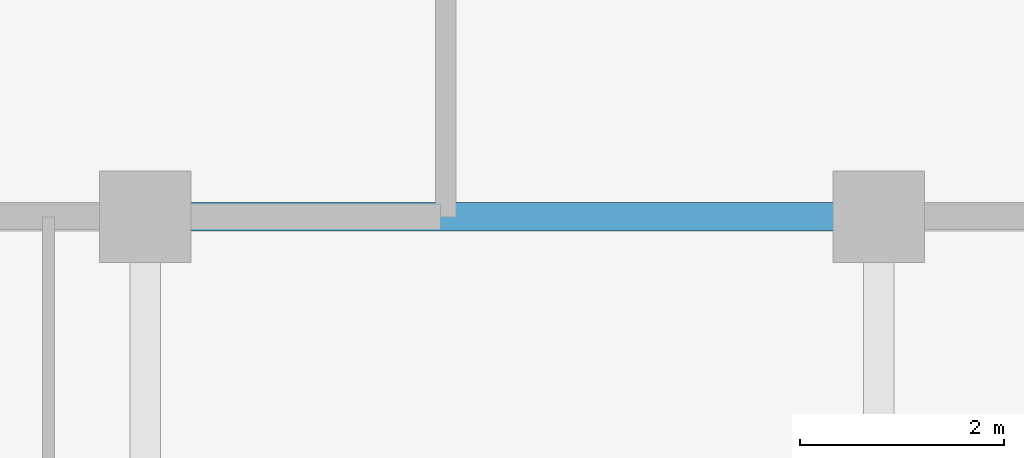
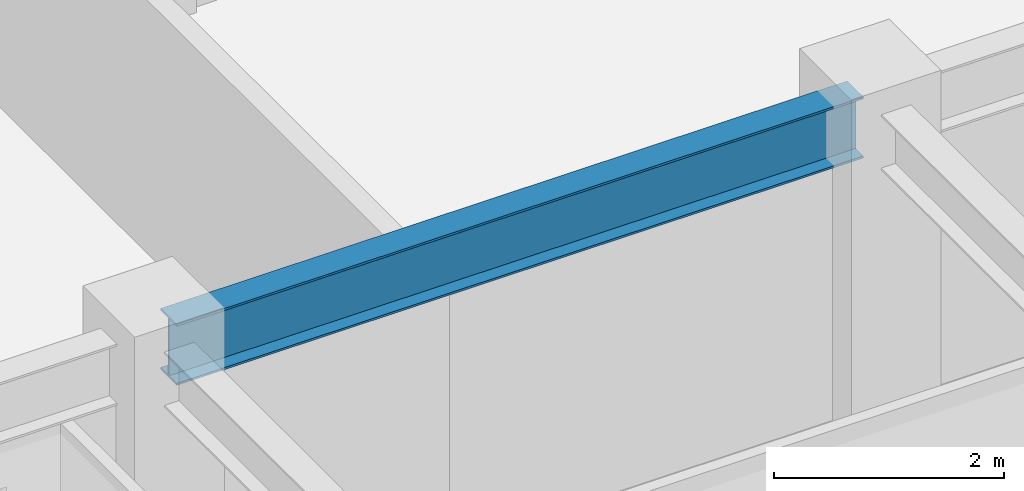
# One storey, part 6 of 22: 1 beam.
"""IFC4 building model written with IfcOpenShell, lengths in metres."""

import ifcopenshell
import ifcopenshell.guid

model = None  # the IFC model being written
_history = None  # IfcOwnerHistory: only IFC2X3 demands one
_inside = {}  # id of a spatial element -> (the spatial element, [elements in it])
_under = {}  # id of a project, library or spatial element -> (it, [spatial elements below it])
_declared = {}  # id of a project -> (the project, [libraries it declares])
_typed = {}  # id of a type object -> (the type object, [elements of that type])
_made_of = {}  # id of a material, layer set ... -> (it, [elements and type objects made of it])


def new_model(schema):
    """Start an empty IFC model of exactly this schema.

    Asked for "IFC4X3", IfcOpenShell would pick the latest addendum, in which some entities
    have other attributes; the version numbers below select the first issue.
    IFC2X3 requires an IfcOwnerHistory on every rooted entity: one is made here for all.
    """
    global model, _history
    if schema == "IFC4X3":
        model = ifcopenshell.file(schema_version=(4, 3, 0, 0))
    else:
        model = ifcopenshell.file(schema=schema)
    _inside.clear()
    _under.clear()
    _declared.clear()
    _typed.clear()
    _made_of.clear()
    _history = None
    if model.schema == "IFC2X3":
        org = make("IfcOrganization", Name="unknown")
        user = make(
            "IfcPersonAndOrganization",
            ThePerson=make("IfcPerson", FamilyName="unknown"),
            TheOrganization=org,
        )
        app = make(
            "IfcApplication",
            ApplicationDeveloper=org,
            Version="unknown",
            ApplicationFullName="unknown",
            ApplicationIdentifier="unknown",
        )
        _history = make(
            "IfcOwnerHistory",
            OwningUser=user,
            OwningApplication=app,
            ChangeAction="ADDED",
            CreationDate=0,
        )
    return model


def make(cls, **values):
    """One entity of the class cls with the attributes given. An attribute that is None is left unset."""
    return model.create_entity(
        cls, **{name: value for name, value in values.items() if value is not None}
    )


def rooted(cls, **values):
    """An entity with a GlobalId (a new one), such as an element, a storey or a relation."""
    return make(cls, GlobalId=ifcopenshell.guid.new(), OwnerHistory=_history, **values)


def si_unit(unit_type, name, prefix=None):
    """IfcSIUnit, for example si_unit("LENGTHUNIT", "METRE", prefix="MILLI")."""
    return make("IfcSIUnit", UnitType=unit_type, Prefix=prefix, Name=name)


def assignment(units):
    """IfcUnitAssignment: the units of a project."""
    return None if units is None else make("IfcUnitAssignment", Units=units)


def point(xyz):
    """IfcCartesianPoint."""
    return None if xyz is None else make("IfcCartesianPoint", Coordinates=xyz)


def direction(xyz):
    """IfcDirection."""
    return None if xyz is None else make("IfcDirection", DirectionRatios=xyz)


def frame(location, z_axis=None, x_axis=None):
    """IfcAxis2Placement3D, a coordinate frame: its origin and axes. An axis left out is left unset."""
    return make(
        "IfcAxis2Placement3D",
        Location=point(location),
        Axis=direction(z_axis),
        RefDirection=direction(x_axis),
    )


def frame_2d(location, x_axis=None):
    """IfcAxis2Placement2D, a coordinate frame in the plane: its origin and x axis."""
    return make(
        "IfcAxis2Placement2D", Location=point(location), RefDirection=direction(x_axis)
    )


def origin():
    """The frame at (0, 0, 0) with its axes left unset."""
    return frame((0.0, 0.0, 0.0))


def origin_2d():
    """The frame at (0, 0) in the plane with its x axis left unset."""
    return frame_2d((0.0, 0.0))


def place(relative_to, where):
    """IfcLocalPlacement: puts the frame where relative to a parent placement (None: the world)."""
    return make(
        "IfcLocalPlacement", PlacementRelTo=relative_to, RelativePlacement=where
    )


def context(
    kind, dimensions, precision=None, world=None, true_north=None, identifier=None
):
    """IfcGeometricRepresentationContext, for example the 3D "Model" context."""
    return make(
        "IfcGeometricRepresentationContext",
        ContextIdentifier=identifier,
        ContextType=kind,
        CoordinateSpaceDimension=dimensions,
        Precision=precision,
        WorldCoordinateSystem=world,
        TrueNorth=true_north,
    )


def subcontext(parent, identifier, kind, view, scale=None):
    """IfcGeometricRepresentationSubContext, for example "Body" below "Model"."""
    return make(
        "IfcGeometricRepresentationSubContext",
        ContextIdentifier=identifier,
        ContextType=kind,
        ParentContext=parent,
        TargetScale=scale,
        TargetView=view,
    )


def project(units=None, contexts=None):
    """IfcProject with its units and contexts."""
    return rooted(
        "IfcProject",
        Name="project",
        RepresentationContexts=contexts,
        UnitsInContext=assignment(units),
    )


def spatial(cls, under=None, at=None, **own):
    """A site, building, storey or space (cls), placed at a placement, below another one or the project."""
    s = rooted(cls, ObjectPlacement=at, **own)
    if under is not None:
        _under.setdefault(under.id(), (under, []))[1].append(s)
    return s


def profile(cls, at=None, kind="AREA", **sizes):
    """A parametric profile (cls). Its sizes go by their IFC names, for example OverallWidth=200.0."""
    return make(cls, ProfileType=kind, Position=at, **sizes)


def i_section(**sizes):
    """IfcIShapeProfileDef."""
    return profile("IfcIShapeProfileDef", **sizes)


def extrude(swept, where, along, depth):
    """IfcExtrudedAreaSolid: the profile swept, set in the frame where, extruded along a direction by depth."""
    return make(
        "IfcExtrudedAreaSolid",
        SweptArea=swept,
        Position=where,
        ExtrudedDirection=direction(along),
        Depth=depth,
    )


def shape(context_of_items, identifier, shape_type, items):
    """IfcShapeRepresentation: the items that make up one representation, for example the "Body"."""
    return make(
        "IfcShapeRepresentation",
        ContextOfItems=context_of_items,
        RepresentationIdentifier=identifier,
        RepresentationType=shape_type,
        Items=items,
    )


def source(mapping_origin, context_of_items, identifier, shape_type, items):
    """IfcRepresentationMap: a shape defined once, which mapped items show again and again."""
    return make(
        "IfcRepresentationMap",
        MappingOrigin=mapping_origin,
        MappedRepresentation=shape(context_of_items, identifier, shape_type, items),
    )


def transform(
    local_origin,
    x_axis=None,
    y_axis=None,
    z_axis=None,
    scale=None,
    scale2=None,
    scale3=None,
    uniform=True,
):
    """IfcCartesianTransformationOperator3D, or its non-uniform kind. x_axis, y_axis, z_axis: its Axis1, 2, 3."""
    if uniform:
        return make(
            "IfcCartesianTransformationOperator3D",
            Axis1=direction(x_axis),
            Axis2=direction(y_axis),
            LocalOrigin=point(local_origin),
            Scale=scale,
            Axis3=direction(z_axis),
        )
    return make(
        "IfcCartesianTransformationOperator3DnonUniform",
        Axis1=direction(x_axis),
        Axis2=direction(y_axis),
        LocalOrigin=point(local_origin),
        Scale=scale,
        Axis3=direction(z_axis),
        Scale2=scale2,
        Scale3=scale3,
    )


def mapped(mapping_source, mapping_target):
    """IfcMappedItem: shows the shape of a source again, moved by a transform."""
    return make(
        "IfcMappedItem", MappingSource=mapping_source, MappingTarget=mapping_target
    )


def material(Name=None, Category=None):
    """IfcMaterial."""
    return make("IfcMaterial", Name=Name, Category=Category)


def material_profile(
    of_material, cross_section, Name=None, Category=None, Priority=None
):
    """IfcMaterialProfile: a cross section and its material."""
    return make(
        "IfcMaterialProfile",
        Name=Name,
        Material=of_material,
        Profile=cross_section,
        Priority=Priority,
        Category=Category,
    )


def profile_set(profiles, Name=None, composite=None):
    """IfcMaterialProfileSet."""
    return make(
        "IfcMaterialProfileSet",
        Name=Name,
        MaterialProfiles=profiles,
        CompositeProfile=composite,
    )


def made_of(thing, what):
    """Note that an element or type object is made of a material, layer set ...; save() writes the relation."""
    if what is not None:
        _made_of.setdefault(what.id(), (what, []))[1].append(thing)
    return thing


def type_object(cls, material=None, **own):
    """A type object (cls), such as IfcWallType, which elements share."""
    return made_of(rooted(cls, **own), material)


def element(
    cls,
    number,
    at=None,
    inside=None,
    cuts=None,
    type_object=None,
    material=None,
    context=None,
    identifier="Body",
    shape_type=None,
    held_by="IfcProductDefinitionShape",
    body=None,
    shapes=None,
    **own,
):
    """One element of the class cls, such as IfcWall. Its Tag is "e" and its number.

    at: its placement. inside: the storey or other place that contains it. cuts: it is an
    opening in that element (IfcRelVoidsElement). A single representation is given by context,
    identifier, shape_type and body (its items); several are given by shapes. held_by: the class
    of the entity that holds the representations. save() writes the other relations.
    """
    e = rooted(cls, Tag="e%d" % number, ObjectPlacement=at, **own)
    if body is not None:
        shapes = [shape(context, identifier, shape_type, body)]
    if shapes is not None:
        e.Representation = make(held_by, Representations=shapes)
    if inside is not None:
        _inside.setdefault(inside.id(), (inside, []))[1].append(e)
    if cuts is not None:
        rooted(
            "IfcRelVoidsElement", RelatingBuildingElement=cuts, RelatedOpeningElement=e
        )
    if type_object is not None:
        _typed.setdefault(type_object.id(), (type_object, []))[1].append(e)
    return made_of(e, material)


def aggregate(whole, parts):
    """IfcRelAggregates: a whole, such as a stair, and the parts it consists of."""
    return rooted("IfcRelAggregates", RelatingObject=whole, RelatedObjects=parts)


def save(model, path):
    """Write the relations noted so far, then the file.

    IfcRelAggregates (storeys below a building ...), IfcRelContainedInSpatialStructure (elements
    in a storey), IfcRelDefinesByType, IfcRelAssociatesMaterial and IfcRelDeclares: one each for
    every whole, place, type object, material and project.
    """
    for whole, parts in _under.values():
        aggregate(whole, parts)
    for where, things in _inside.values():
        rooted(
            "IfcRelContainedInSpatialStructure",
            RelatedElements=things,
            RelatingStructure=where,
        )
    for kind, things in _typed.values():
        rooted("IfcRelDefinesByType", RelatedObjects=things, RelatingType=kind)
    for what, things in _made_of.values():
        rooted("IfcRelAssociatesMaterial", RelatedObjects=things, RelatingMaterial=what)
    for by, libraries in _declared.values():
        rooted("IfcRelDeclares", RelatingContext=by, RelatedDefinitions=libraries)
    model.write(path)


model = new_model("IFC4")

# Units and contexts
model_context = context("Model", 3, precision=1e-05, world=origin(), true_north=direction((0.0, 1.0)))
body_context = subcontext(model_context, "Body", "Model", "MODEL_VIEW")
ifc_project = project(units=[si_unit("LENGTHUNIT", "METRE"), si_unit("AREAUNIT", "SQUARE_METRE"), si_unit("VOLUMEUNIT", "CUBIC_METRE"), si_unit("PLANEANGLEUNIT", "RADIAN"), si_unit("MASSUNIT", "GRAM", prefix="KILO")], contexts=[model_context])

# Site, building, storey
site_placement = place(None, origin())
site = spatial("IfcSite", under=ifc_project, at=site_placement, CompositionType="ELEMENT")
building_placement = place(site_placement, origin())
building = spatial("IfcBuilding", under=site, at=building_placement, Name="Trelvane Seafront Commons", CompositionType="ELEMENT")
storey_placement = place(building_placement, frame((0.0, 0.0, 55.89990234375)))
storey = spatial("IfcBuildingStorey", under=building, at=storey_placement, Name="L14", CompositionType="ELEMENT", Elevation=55.89990234375)

# Beam
ifc_material = material(Name="Steel SM355 (S355)", Category="steel")
ifc_material_profile = material_profile(ifc_material, i_section(OverallWidth=0.280029296875, OverallDepth=0.64990234375, WebThickness=0.012939453125, FlangeThickness=0.02197265625, at=origin_2d()), Name="H-650x280x13x22")
ifc_profile_set = profile_set([ifc_material_profile], Name="Steel SM355 (S355)")
beam_type = type_object("IfcBeamType", Name="STR-BM-H650", PredefinedType="BEAM", material=ifc_profile_set)
shared_shape = source(origin(), body_context, "Body", "SweptSolid", [
    extrude(i_section(OverallWidth=0.280029296875, OverallDepth=0.64990234375, WebThickness=0.012939453125, FlangeThickness=0.02197265625, at=origin_2d()), origin(), (0.0, 0.0, 1.0), 6.89990234375),
])
beam_placement = place(storey_placement, frame((23.550048828125, 33.39990234375, 3.01513671875), z_axis=(1.0, 0.0, 0.0), x_axis=(0.0, 1.0, 0.0)))
element("IfcBeam", 1, at=beam_placement, inside=storey, type_object=beam_type, Name="L14 Primary Girder G-22", PredefinedType="BEAM", context=body_context, shape_type="MappedRepresentation", body=[
    mapped(shared_shape, transform((0.0, 0.0, 0.0), x_axis=(1.0, 0.0, 0.0), y_axis=(0.0, 1.0, 0.0), z_axis=(0.0, 0.0, 1.0), scale=1.0)),
])

save(model, "model.ifc")
